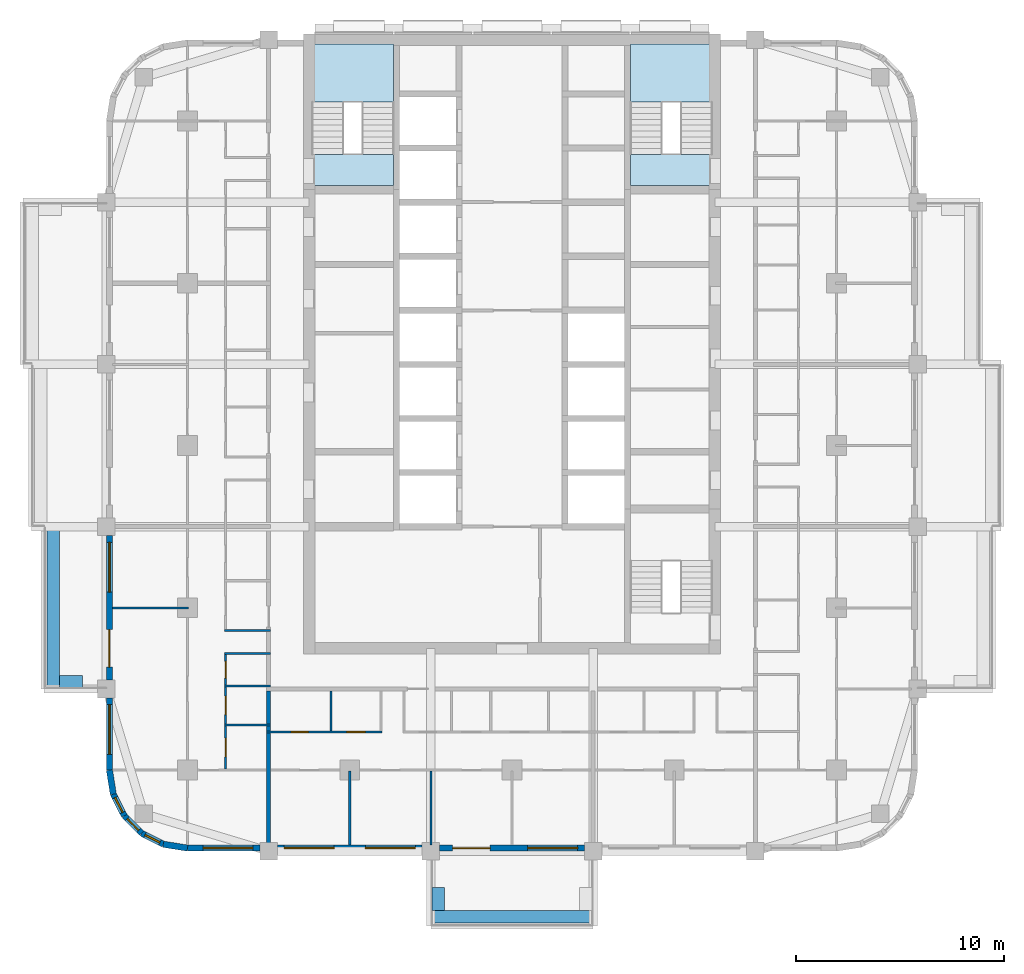
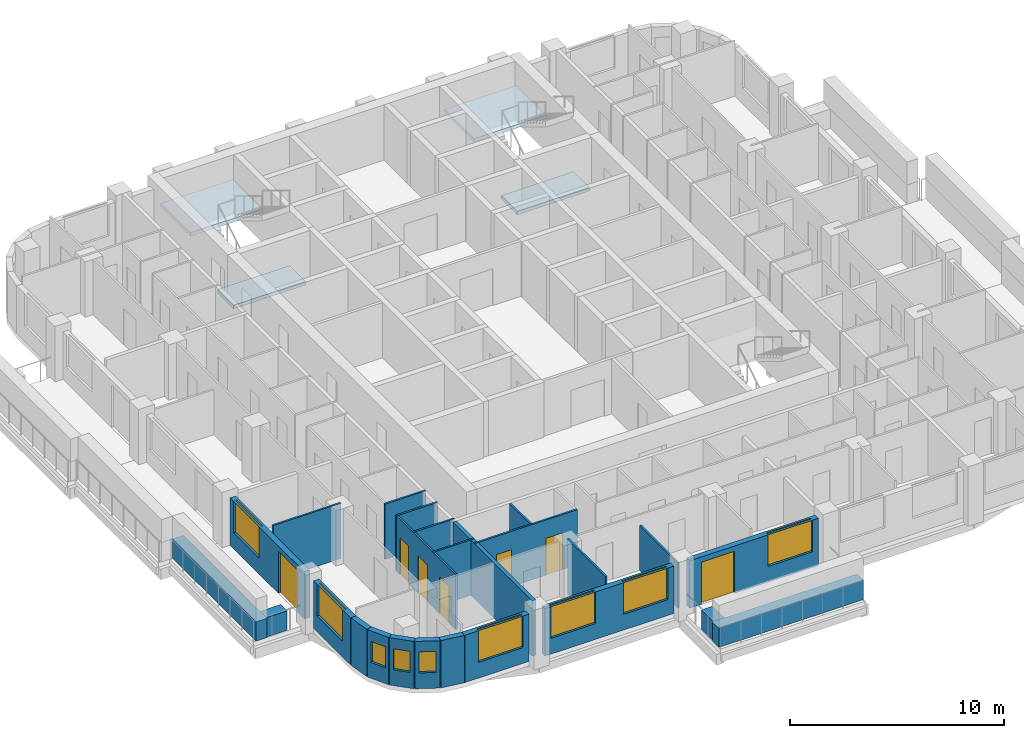
# One storey, part 2 of 13: 25 walls, 9 windows, 7 doors, 4 slabs, 16 openings, 2 elements without a shape of their own.
"""IFC4 building model written with IfcOpenShell, lengths in metres."""

import ifcopenshell
import ifcopenshell.guid

model = None  # the IFC model being written
_history = None  # IfcOwnerHistory: only IFC2X3 demands one
_inside = {}  # id of a spatial element -> (the spatial element, [elements in it])
_under = {}  # id of a project, library or spatial element -> (it, [spatial elements below it])
_declared = {}  # id of a project -> (the project, [libraries it declares])
_typed = {}  # id of a type object -> (the type object, [elements of that type])
_made_of = {}  # id of a material, layer set ... -> (it, [elements and type objects made of it])


def new_model(schema):
    """Start an empty IFC model of exactly this schema.

    Asked for "IFC4X3", IfcOpenShell would pick the latest addendum, in which some entities
    have other attributes; the version numbers below select the first issue.
    IFC2X3 requires an IfcOwnerHistory on every rooted entity: one is made here for all.
    """
    global model, _history
    if schema == "IFC4X3":
        model = ifcopenshell.file(schema_version=(4, 3, 0, 0))
    else:
        model = ifcopenshell.file(schema=schema)
    _inside.clear()
    _under.clear()
    _declared.clear()
    _typed.clear()
    _made_of.clear()
    _history = None
    if model.schema == "IFC2X3":
        org = make("IfcOrganization", Name="unknown")
        user = make(
            "IfcPersonAndOrganization",
            ThePerson=make("IfcPerson", FamilyName="unknown"),
            TheOrganization=org,
        )
        app = make(
            "IfcApplication",
            ApplicationDeveloper=org,
            Version="unknown",
            ApplicationFullName="unknown",
            ApplicationIdentifier="unknown",
        )
        _history = make(
            "IfcOwnerHistory",
            OwningUser=user,
            OwningApplication=app,
            ChangeAction="ADDED",
            CreationDate=0,
        )
    return model


def make(cls, **values):
    """One entity of the class cls with the attributes given. An attribute that is None is left unset."""
    return model.create_entity(
        cls, **{name: value for name, value in values.items() if value is not None}
    )


def rooted(cls, **values):
    """An entity with a GlobalId (a new one), such as an element, a storey or a relation."""
    return make(cls, GlobalId=ifcopenshell.guid.new(), OwnerHistory=_history, **values)


def si_unit(unit_type, name, prefix=None):
    """IfcSIUnit, for example si_unit("LENGTHUNIT", "METRE", prefix="MILLI")."""
    return make("IfcSIUnit", UnitType=unit_type, Prefix=prefix, Name=name)


def assignment(units):
    """IfcUnitAssignment: the units of a project."""
    return None if units is None else make("IfcUnitAssignment", Units=units)


def point(xyz):
    """IfcCartesianPoint."""
    return None if xyz is None else make("IfcCartesianPoint", Coordinates=xyz)


def direction(xyz):
    """IfcDirection."""
    return None if xyz is None else make("IfcDirection", DirectionRatios=xyz)


def frame(location, z_axis=None, x_axis=None):
    """IfcAxis2Placement3D, a coordinate frame: its origin and axes. An axis left out is left unset."""
    return make(
        "IfcAxis2Placement3D",
        Location=point(location),
        Axis=direction(z_axis),
        RefDirection=direction(x_axis),
    )


def frame_2d(location, x_axis=None):
    """IfcAxis2Placement2D, a coordinate frame in the plane: its origin and x axis."""
    return make(
        "IfcAxis2Placement2D", Location=point(location), RefDirection=direction(x_axis)
    )


def origin():
    """The frame at (0, 0, 0) with its axes left unset."""
    return frame((0.0, 0.0, 0.0))


def place(relative_to, where):
    """IfcLocalPlacement: puts the frame where relative to a parent placement (None: the world)."""
    return make(
        "IfcLocalPlacement", PlacementRelTo=relative_to, RelativePlacement=where
    )


def context(
    kind, dimensions, precision=None, world=None, true_north=None, identifier=None
):
    """IfcGeometricRepresentationContext, for example the 3D "Model" context."""
    return make(
        "IfcGeometricRepresentationContext",
        ContextIdentifier=identifier,
        ContextType=kind,
        CoordinateSpaceDimension=dimensions,
        Precision=precision,
        WorldCoordinateSystem=world,
        TrueNorth=true_north,
    )


def subcontext(parent, identifier, kind, view, scale=None):
    """IfcGeometricRepresentationSubContext, for example "Body" below "Model"."""
    return make(
        "IfcGeometricRepresentationSubContext",
        ContextIdentifier=identifier,
        ContextType=kind,
        ParentContext=parent,
        TargetScale=scale,
        TargetView=view,
    )


def project(units=None, contexts=None):
    """IfcProject with its units and contexts."""
    return rooted(
        "IfcProject",
        Name="project",
        RepresentationContexts=contexts,
        UnitsInContext=assignment(units),
    )


def spatial(cls, under=None, at=None, **own):
    """A site, building, storey or space (cls), placed at a placement, below another one or the project."""
    s = rooted(cls, ObjectPlacement=at, **own)
    if under is not None:
        _under.setdefault(under.id(), (under, []))[1].append(s)
    return s


def polyline(points):
    """IfcPolyline through the points."""
    return make("IfcPolyline", Points=[point(p) for p in points])


def profile(cls, at=None, kind="AREA", **sizes):
    """A parametric profile (cls). Its sizes go by their IFC names, for example OverallWidth=200.0."""
    return make(cls, ProfileType=kind, Position=at, **sizes)


def rectangle(**sizes):
    """IfcRectangleProfileDef."""
    return profile("IfcRectangleProfileDef", **sizes)


def outline(outer, holes=None, kind="AREA"):
    """IfcArbitraryClosedProfileDef: a profile drawn as a closed curve; with holes, ...WithVoids."""
    if holes is None:
        return make("IfcArbitraryClosedProfileDef", ProfileType=kind, OuterCurve=outer)
    return make(
        "IfcArbitraryProfileDefWithVoids",
        ProfileType=kind,
        OuterCurve=outer,
        InnerCurves=holes,
    )


def extrude(swept, where, along, depth):
    """IfcExtrudedAreaSolid: the profile swept, set in the frame where, extruded along a direction by depth."""
    return make(
        "IfcExtrudedAreaSolid",
        SweptArea=swept,
        Position=where,
        ExtrudedDirection=direction(along),
        Depth=depth,
    )


def shape(context_of_items, identifier, shape_type, items):
    """IfcShapeRepresentation: the items that make up one representation, for example the "Body"."""
    return make(
        "IfcShapeRepresentation",
        ContextOfItems=context_of_items,
        RepresentationIdentifier=identifier,
        RepresentationType=shape_type,
        Items=items,
    )


def material(Name=None, Category=None):
    """IfcMaterial."""
    return make("IfcMaterial", Name=Name, Category=Category)


def layer(
    of_material, thickness, ventilated=None, Name=None, Category=None, Priority=None
):
    """IfcMaterialLayer: one layer of a wall or slab, of a material (None: an air gap)."""
    return make(
        "IfcMaterialLayer",
        Material=of_material,
        LayerThickness=thickness,
        IsVentilated=ventilated,
        Name=Name,
        Category=Category,
        Priority=Priority,
    )


def layer_set(layers, Name=None):
    """IfcMaterialLayerSet."""
    return make("IfcMaterialLayerSet", MaterialLayers=layers, LayerSetName=Name)


def made_of(thing, what):
    """Note that an element or type object is made of a material, layer set ...; save() writes the relation."""
    if what is not None:
        _made_of.setdefault(what.id(), (what, []))[1].append(thing)
    return thing


def type_object(cls, material=None, **own):
    """A type object (cls), such as IfcWallType, which elements share."""
    return made_of(rooted(cls, **own), material)


def element(
    cls,
    number,
    at=None,
    inside=None,
    cuts=None,
    type_object=None,
    material=None,
    context=None,
    identifier="Body",
    shape_type=None,
    held_by="IfcProductDefinitionShape",
    body=None,
    shapes=None,
    **own,
):
    """One element of the class cls, such as IfcWall. Its Tag is "e" and its number.

    at: its placement. inside: the storey or other place that contains it. cuts: it is an
    opening in that element (IfcRelVoidsElement). A single representation is given by context,
    identifier, shape_type and body (its items); several are given by shapes. held_by: the class
    of the entity that holds the representations. save() writes the other relations.
    """
    e = rooted(cls, Tag="e%d" % number, ObjectPlacement=at, **own)
    if body is not None:
        shapes = [shape(context, identifier, shape_type, body)]
    if shapes is not None:
        e.Representation = make(held_by, Representations=shapes)
    if inside is not None:
        _inside.setdefault(inside.id(), (inside, []))[1].append(e)
    if cuts is not None:
        rooted(
            "IfcRelVoidsElement", RelatingBuildingElement=cuts, RelatedOpeningElement=e
        )
    if type_object is not None:
        _typed.setdefault(type_object.id(), (type_object, []))[1].append(e)
    return made_of(e, material)


def fill(opening, filler):
    """IfcRelFillsElement: the door or window that sits in an opening."""
    return rooted(
        "IfcRelFillsElement",
        RelatingOpeningElement=opening,
        RelatedBuildingElement=filler,
    )


def aggregate(whole, parts):
    """IfcRelAggregates: a whole, such as a stair, and the parts it consists of."""
    return rooted("IfcRelAggregates", RelatingObject=whole, RelatedObjects=parts)


def save(model, path):
    """Write the relations noted so far, then the file.

    IfcRelAggregates (storeys below a building ...), IfcRelContainedInSpatialStructure (elements
    in a storey), IfcRelDefinesByType, IfcRelAssociatesMaterial and IfcRelDeclares: one each for
    every whole, place, type object, material and project.
    """
    for whole, parts in _under.values():
        aggregate(whole, parts)
    for where, things in _inside.values():
        rooted(
            "IfcRelContainedInSpatialStructure",
            RelatedElements=things,
            RelatingStructure=where,
        )
    for kind, things in _typed.values():
        rooted("IfcRelDefinesByType", RelatedObjects=things, RelatingType=kind)
    for what, things in _made_of.values():
        rooted("IfcRelAssociatesMaterial", RelatedObjects=things, RelatingMaterial=what)
    for by, libraries in _declared.values():
        rooted("IfcRelDeclares", RelatingContext=by, RelatedDefinitions=libraries)
    model.write(path)


model = new_model("IFC4")

# Units and contexts
model_context = context("Model", 3, precision=1e-05, world=origin(), true_north=direction((0.0, 1.0)))
body_context = subcontext(model_context, "Body", "Model", "MODEL_VIEW")
ifc_project = project(units=[si_unit("LENGTHUNIT", "METRE"), si_unit("AREAUNIT", "SQUARE_METRE"), si_unit("VOLUMEUNIT", "CUBIC_METRE"), si_unit("PLANEANGLEUNIT", "RADIAN"), si_unit("MASSUNIT", "GRAM", prefix="KILO")], contexts=[model_context])

# Site, building, storey
site_placement = place(None, origin())
site = spatial("IfcSite", under=ifc_project, at=site_placement, CompositionType="ELEMENT")
building_placement = place(site_placement, origin())
building = spatial("IfcBuilding", under=site, at=building_placement, Name="Ludao Terraces", CompositionType="ELEMENT")
storey_placement = place(building_placement, frame((0.0, 0.0, 130.5)))
storey = spatial("IfcBuildingStorey", under=building, at=storey_placement, Name="L35", CompositionType="ELEMENT", Elevation=130.5)

# Stair, slabs
ifc_material_1 = material(Name="Concrete C40", Category="concrete")
stair_type = type_object("IfcStairType", Name="INT Stair", PredefinedType="HALF_TURN_STAIR", material=ifc_material_1)
stair_1_placement = place(storey_placement, origin())
stair_1 = element("IfcStair", 1, at=stair_1_placement, inside=storey, type_object=stair_type, Name="EXIT STAIR 1", PredefinedType="HALF_TURN_STAIR")
ifc_layer_1 = layer(ifc_material_1, 0.199951171875)
ifc_layer_set_1 = layer_set([ifc_layer_1], Name="INT Stair landing 200")
slab_type = type_object("IfcSlabType", Name="INT Stair landing 200", PredefinedType="LANDING", material=ifc_layer_set_1)
slab_1_placement = place(storey_placement, frame((0.0, 0.0, 1.5)))
slab_1 = element("IfcSlab", 2, at=slab_1_placement, type_object=slab_type, Name="ST1 landing 1", PredefinedType="LANDING", context=body_context, shape_type="SweptSolid", body=[
    extrude(outline(polyline([(75.39990234375, 81.52001953125), (79.300048828125, 81.52001953125), (79.300048828125, 84.300048828125), (75.39990234375, 84.300048828125), (75.39990234375, 81.52001953125)])), origin(), (0.0, 0.0, 1.0), 0.199951171875),
])
slab_2_placement = place(storey_placement, frame((0.0, 0.0, -0.199951171875)))
slab_2 = element("IfcSlab", 3, at=slab_2_placement, type_object=slab_type, Name="ST1 landing 2", PredefinedType="LANDING", context=body_context, shape_type="SweptSolid", body=[
    extrude(outline(polyline([(75.39990234375, 77.5), (79.300048828125, 77.5), (79.300048828125, 79.0), (75.39990234375, 79.0), (75.39990234375, 77.5)])), origin(), (0.0, 0.0, 1.0), 0.199951171875),
])
aggregate(stair_1, [slab_1, slab_2])

stair_2_placement = place(storey_placement, origin())
stair_2 = element("IfcStair", 4, at=stair_2_placement, inside=storey, type_object=stair_type, Name="EXIT STAIR 2", PredefinedType="HALF_TURN_STAIR")
slab_3_placement = place(storey_placement, frame((0.0, 0.0, 1.5)))
slab_3 = element("IfcSlab", 5, at=slab_3_placement, type_object=slab_type, Name="ST2 landing 1", PredefinedType="LANDING", context=body_context, shape_type="SweptSolid", body=[
    extrude(outline(polyline([(90.699951171875, 81.52001953125), (94.60009765625, 81.52001953125), (94.60009765625, 84.300048828125), (90.699951171875, 84.300048828125), (90.699951171875, 81.52001953125)])), origin(), (0.0, 0.0, 1.0), 0.199951171875),
])
slab_4_placement = place(storey_placement, frame((0.0, 0.0, -0.199951171875)))
slab_4 = element("IfcSlab", 6, at=slab_4_placement, type_object=slab_type, Name="ST2 landing 2", PredefinedType="LANDING", context=body_context, shape_type="SweptSolid", body=[
    extrude(outline(polyline([(90.699951171875, 77.5), (94.60009765625, 77.5), (94.60009765625, 79.0), (90.699951171875, 79.0), (90.699951171875, 77.5)])), origin(), (0.0, 0.0, 1.0), 0.199951171875),
])
aggregate(stair_2, [slab_3, slab_4])

# Walls
ifc_layer_2 = layer(ifc_material_1, 0.60009765625)
ifc_layer_set_2 = layer_set([ifc_layer_2], Name="ENV Planter trough 600")
wall_type_1 = type_object("IfcWallType", Name="ENV Planter trough 600", PredefinedType="USERDEFINED", material=ifc_layer_set_2)
wall_1_placement = place(storey_placement, frame((81.10009765625, 42.35009765625, 0.0), z_axis=(0.0, 0.0, 1.0), x_axis=(1.0, 0.0, 0.0)))
element("IfcWall", 7, at=wall_1_placement, inside=storey, type_object=wall_type_1, Name="PL-L35-S1", ObjectType="PLANTER", PredefinedType="USERDEFINED", context=body_context, shape_type="SweptSolid", body=[
    extrude(rectangle(XDim=7.7998046875, YDim=0.60009765625, at=frame_2d((3.89990234375, 0.0))), origin(), (0.0, 0.0, 1.0), 1.10009765625),
])
wall_2_placement = place(storey_placement, frame((81.449951171875, 42.64990234375, 0.0), z_axis=(0.0, 0.0, 1.0), x_axis=(0.0, 1.0, 0.0)))
element("IfcWall", 8, at=wall_2_placement, inside=storey, type_object=wall_type_1, Name="PL-L35-S1-SA", ObjectType="PLANTER", PredefinedType="USERDEFINED", context=body_context, shape_type="SweptSolid", body=[
    extrude(rectangle(XDim=1.10009765625, YDim=0.60009765625, at=frame_2d((0.550048828125, 0.0))), origin(), (0.0, 0.0, 1.0), 1.10009765625),
])
wall_3_placement = place(storey_placement, frame((62.949951171875, 53.300048828125, 0.0), z_axis=(0.0, 0.0, 1.0), x_axis=(0.0, 1.0, 0.0)))
element("IfcWall", 9, at=wall_3_placement, inside=storey, type_object=wall_type_1, Name="PL-L35-W1", ObjectType="PLANTER", PredefinedType="USERDEFINED", context=body_context, shape_type="SweptSolid", body=[
    extrude(rectangle(XDim=7.800048828125, YDim=0.60009765625, at=frame_2d((3.89990234375, 0.0))), origin(), (0.0, 0.0, 1.0), 1.10009765625),
])
wall_4_placement = place(storey_placement, frame((63.25, 53.64990234375, 0.0), z_axis=(0.0, 0.0, 1.0), x_axis=(1.0, 0.0, 0.0)))
element("IfcWall", 10, at=wall_4_placement, inside=storey, type_object=wall_type_1, Name="PL-L35-W1-SA", ObjectType="PLANTER", PredefinedType="USERDEFINED", context=body_context, shape_type="SweptSolid", body=[
    extrude(rectangle(XDim=1.10009765625, YDim=0.60009765625, at=frame_2d((0.550048828125, 0.0))), origin(), (0.0, 0.0, 1.0), 1.10009765625),
])

# Wall, opening, window
ifc_material_2 = material(Name="Granite cladding", Category="masonry")
ifc_layer_3 = layer(ifc_material_2, 0.0400390625, Category="stone")
ifc_material_3 = material(Name="Mineral wool")
ifc_layer_4 = layer(ifc_material_3, 0.06005859375)
ifc_layer_5 = layer(ifc_material_1, 0.199951171875, Category="concrete")
ifc_layer_set_3 = layer_set([ifc_layer_3, ifc_layer_4, ifc_layer_5], Name="ENV Stone-clad wall 300")
wall_type_2 = type_object("IfcWallType", Name="ENV Stone-clad wall 300", PredefinedType="SOLIDWALL", material=ifc_layer_set_3)
wall_5_placement = place(storey_placement, frame((69.39990234375, 45.64990234375, 0.0), z_axis=(0.0, 0.0, 1.0), x_axis=(1.0, 0.0, 0.0)))
wall_5 = element("IfcWall", 11, at=wall_5_placement, inside=storey, type_object=wall_type_2, Name="EW-L35-S1", PredefinedType="SOLIDWALL", context=body_context, shape_type="SweptSolid", body=[
    extrude(rectangle(XDim=3.47509765625, YDim=0.300048828125, at=frame_2d((1.737548828125, 0.0))), origin(), (0.0, 0.0, 1.0), 2.699951171875),
])
opening_1_placement = place(wall_5_placement, frame((0.75, 0.0, 0.89990234375)))
opening_1 = element("IfcOpeningElement", 12, at=opening_1_placement, cuts=wall_5, Name="Opening W1", PredefinedType="OPENING", context=body_context, shape_type="SweptSolid", body=[
    extrude(rectangle(XDim=2.39990234375, YDim=1.800048828125, at=frame_2d((1.199951171875, 0.89990234375))), frame((0.0, 0.16015625, 0.0), z_axis=(0.0, -1.0, 0.0), x_axis=(1.0, 0.0, 0.0)), (0.0, 0.0, 1.0), 0.320068359375),
])
ifc_material_4 = material(Name="Clear glass in aluminium frame", Category="aluminium")
ifc_layer_6 = layer(ifc_material_4, 0.06005859375)
ifc_layer_set_4 = layer_set([ifc_layer_6], Name="ENV Window W1 2400x1800")
window_type_1 = type_object("IfcWindowType", Name="ENV Window W1 2400x1800", PartitioningType="DOUBLE_PANEL_VERTICAL", PredefinedType="WINDOW", material=ifc_layer_set_4)
window_1_placement = place(opening_1_placement, origin())
window_1 = element("IfcWindow", 13, at=window_1_placement, inside=storey, type_object=window_type_1, Name="W-L35-S1-1", OverallHeight=1.800048828125, OverallWidth=2.39990234375, PartitioningType="DOUBLE_PANEL_VERTICAL", PredefinedType="WINDOW", context=body_context, shape_type="SweptSolid", body=[
    extrude(rectangle(XDim=2.39990234375, YDim=1.800048828125, at=frame_2d((1.199951171875, 0.89990234375))), frame((0.0, 0.030029296875, 0.0), z_axis=(0.0, -1.0, 0.0), x_axis=(1.0, 0.0, 0.0)), (0.0, 0.0, 1.0), 0.06005859375),
])
fill(opening_1, window_1)

# Wall, openings, windows
wall_6_placement = place(storey_placement, frame((73.72509765625, 45.64990234375, 0.0), z_axis=(0.0, 0.0, 1.0), x_axis=(1.0, 0.0, 0.0)))
wall_6 = element("IfcWall", 14, at=wall_6_placement, inside=storey, type_object=wall_type_2, Name="EW-L35-S2", PredefinedType="SOLIDWALL", context=body_context, shape_type="SweptSolid", body=[
    extrude(rectangle(XDim=6.949951171875, YDim=0.300048828125, at=frame_2d((3.47509765625, 0.0))), origin(), (0.0, 0.0, 1.0), 2.699951171875),
])
opening_2_placement = place(wall_6_placement, frame((0.324951171875, 0.0, 0.89990234375)))
opening_2 = element("IfcOpeningElement", 15, at=opening_2_placement, cuts=wall_6, Name="Opening W1", PredefinedType="OPENING", context=body_context, shape_type="SweptSolid", body=[
    extrude(rectangle(XDim=2.39990234375, YDim=1.800048828125, at=frame_2d((1.199951171875, 0.89990234375))), frame((0.0, 0.16015625, 0.0), z_axis=(0.0, -1.0, 0.0), x_axis=(1.0, 0.0, 0.0)), (0.0, 0.0, 1.0), 0.320068359375),
])
opening_3_placement = place(wall_6_placement, frame((4.22509765625, 0.0, 0.89990234375)))
opening_3 = element("IfcOpeningElement", 16, at=opening_3_placement, cuts=wall_6, Name="Opening W1", PredefinedType="OPENING", context=body_context, shape_type="SweptSolid", body=[
    extrude(rectangle(XDim=2.39990234375, YDim=1.800048828125, at=frame_2d((1.199951171875, 0.89990234375))), frame((0.0, 0.16015625, 0.0), z_axis=(0.0, -1.0, 0.0), x_axis=(1.0, 0.0, 0.0)), (0.0, 0.0, 1.0), 0.320068359375),
])
window_2_placement = place(opening_2_placement, origin())
window_2 = element("IfcWindow", 17, at=window_2_placement, inside=storey, type_object=window_type_1, Name="W-L35-S2-1", OverallHeight=1.800048828125, OverallWidth=2.39990234375, PartitioningType="DOUBLE_PANEL_VERTICAL", PredefinedType="WINDOW", context=body_context, shape_type="SweptSolid", body=[
    extrude(rectangle(XDim=2.39990234375, YDim=1.800048828125, at=frame_2d((1.199951171875, 0.89990234375))), frame((0.0, 0.030029296875, 0.0), z_axis=(0.0, -1.0, 0.0), x_axis=(1.0, 0.0, 0.0)), (0.0, 0.0, 1.0), 0.06005859375),
])
fill(opening_2, window_2)
window_3_placement = place(opening_3_placement, origin())
window_3 = element("IfcWindow", 18, at=window_3_placement, inside=storey, type_object=window_type_1, Name="W-L35-S2-2", OverallHeight=1.800048828125, OverallWidth=2.39990234375, PartitioningType="DOUBLE_PANEL_VERTICAL", PredefinedType="WINDOW", context=body_context, shape_type="SweptSolid", body=[
    extrude(rectangle(XDim=2.39990234375, YDim=1.800048828125, at=frame_2d((1.199951171875, 0.89990234375))), frame((0.0, 0.030029296875, 0.0), z_axis=(0.0, -1.0, 0.0), x_axis=(1.0, 0.0, 0.0)), (0.0, 0.0, 1.0), 0.06005859375),
])
fill(opening_3, window_3)

# Wall, openings, door, window
wall_7_placement = place(storey_placement, frame((81.52490234375, 45.64990234375, 0.0), z_axis=(0.0, 0.0, 1.0), x_axis=(1.0, 0.0, 0.0)))
wall_7 = element("IfcWall", 19, at=wall_7_placement, inside=storey, type_object=wall_type_2, Name="EW-L35-S3", PredefinedType="SOLIDWALL", context=body_context, shape_type="SweptSolid", body=[
    extrude(rectangle(XDim=6.9501953125, YDim=0.300048828125, at=frame_2d((3.47509765625, 0.0))), origin(), (0.0, 0.0, 1.0), 2.699951171875),
])
opening_4_placement = place(wall_7_placement, frame((0.625, 0.0, 0.0)))
opening_4 = element("IfcOpeningElement", 20, at=opening_4_placement, cuts=wall_7, Name="Opening BD", PredefinedType="OPENING", context=body_context, shape_type="SweptSolid", body=[
    extrude(rectangle(XDim=1.800048828125, YDim=2.39990234375, at=frame_2d((0.89990234375, 1.199951171875))), frame((0.0, 0.16015625, 0.0), z_axis=(0.0, -1.0, 0.0), x_axis=(1.0, 0.0, 0.0)), (0.0, 0.0, 1.0), 0.320068359375),
])
opening_5_placement = place(wall_7_placement, frame((4.22509765625, 0.0, 0.89990234375)))
opening_5 = element("IfcOpeningElement", 21, at=opening_5_placement, cuts=wall_7, Name="Opening W1", PredefinedType="OPENING", context=body_context, shape_type="SweptSolid", body=[
    extrude(rectangle(XDim=2.39990234375, YDim=1.800048828125, at=frame_2d((1.199951171875, 0.89990234375))), frame((0.0, 0.16015625, 0.0), z_axis=(0.0, -1.0, 0.0), x_axis=(1.0, 0.0, 0.0)), (0.0, 0.0, 1.0), 0.320068359375),
])
ifc_material_5 = material(Name="Aluminium glazed door", Category="aluminium")
ifc_layer_7 = layer(ifc_material_5, 0.06005859375)
ifc_layer_set_5 = layer_set([ifc_layer_7], Name="ENV Balcony door BD 1800x2400")
door_type_1 = type_object("IfcDoorType", Name="ENV Balcony door BD 1800x2400", OperationType="DOUBLE_DOOR_SINGLE_SWING", PredefinedType="DOOR", material=ifc_layer_set_5)
door_1_placement = place(opening_4_placement, origin())
door_1 = element("IfcDoor", 22, at=door_1_placement, inside=storey, type_object=door_type_1, Name="BD-L35-S3-1", OperationType="DOUBLE_DOOR_SINGLE_SWING", OverallHeight=2.39990234375, OverallWidth=1.800048828125, PredefinedType="DOOR", context=body_context, shape_type="SweptSolid", body=[
    extrude(rectangle(XDim=1.800048828125, YDim=2.39990234375, at=frame_2d((0.89990234375, 1.199951171875))), frame((0.0, 0.02490234375, 0.0), z_axis=(0.0, -1.0, 0.0), x_axis=(1.0, 0.0, 0.0)), (0.0, 0.0, 1.0), 0.050048828125),
])
fill(opening_4, door_1)
window_4_placement = place(opening_5_placement, origin())
window_4 = element("IfcWindow", 23, at=window_4_placement, inside=storey, type_object=window_type_1, Name="W-L35-S3-2", OverallHeight=1.800048828125, OverallWidth=2.39990234375, PartitioningType="DOUBLE_PANEL_VERTICAL", PredefinedType="WINDOW", context=body_context, shape_type="SweptSolid", body=[
    extrude(rectangle(XDim=2.39990234375, YDim=1.800048828125, at=frame_2d((1.199951171875, 0.89990234375))), frame((0.0, 0.030029296875, 0.0), z_axis=(0.0, -1.0, 0.0), x_axis=(1.0, 0.0, 0.0)), (0.0, 0.0, 1.0), 0.06005859375),
])
fill(opening_5, window_4)

# Wall, opening, window
wall_8_placement = place(storey_placement, frame((65.64990234375, 49.39990234375, 0.0), z_axis=(0.0, 0.0, 1.0), x_axis=(0.0, 1.0, 0.0)))
wall_8 = element("IfcWall", 24, at=wall_8_placement, inside=storey, type_object=wall_type_2, Name="EW-L35-W1", PredefinedType="SOLIDWALL", context=body_context, shape_type="SweptSolid", body=[
    extrude(rectangle(XDim=3.47509765625, YDim=0.300048828125, at=frame_2d((1.737548828125, 0.0))), origin(), (0.0, 0.0, 1.0), 2.699951171875),
])
opening_6_placement = place(wall_8_placement, frame((0.75, 0.0, 0.89990234375)))
opening_6 = element("IfcOpeningElement", 25, at=opening_6_placement, cuts=wall_8, Name="Opening W1", PredefinedType="OPENING", context=body_context, shape_type="SweptSolid", body=[
    extrude(rectangle(XDim=2.39990234375, YDim=1.800048828125, at=frame_2d((1.199951171875, 0.89990234375))), frame((0.0, 0.16015625, 0.0), z_axis=(0.0, -1.0, 0.0), x_axis=(1.0, 0.0, 0.0)), (0.0, 0.0, 1.0), 0.320068359375),
])
window_5_placement = place(opening_6_placement, origin())
window_5 = element("IfcWindow", 26, at=window_5_placement, inside=storey, type_object=window_type_1, Name="W-L35-W1-1", OverallHeight=1.800048828125, OverallWidth=2.39990234375, PartitioningType="DOUBLE_PANEL_VERTICAL", PredefinedType="WINDOW", context=body_context, shape_type="SweptSolid", body=[
    extrude(rectangle(XDim=2.39990234375, YDim=1.800048828125, at=frame_2d((1.199951171875, 0.89990234375))), frame((0.0, 0.030029296875, 0.0), z_axis=(0.0, -1.0, 0.0), x_axis=(1.0, 0.0, 0.0)), (0.0, 0.0, 1.0), 0.06005859375),
])
fill(opening_6, window_5)

# Wall, openings, door, window
wall_9_placement = place(storey_placement, frame((65.64990234375, 53.72509765625, 0.0), z_axis=(0.0, 0.0, 1.0), x_axis=(0.0, 1.0, 0.0)))
wall_9 = element("IfcWall", 27, at=wall_9_placement, inside=storey, type_object=wall_type_2, Name="EW-L35-W2", PredefinedType="SOLIDWALL", context=body_context, shape_type="SweptSolid", body=[
    extrude(rectangle(XDim=6.949951171875, YDim=0.300048828125, at=frame_2d((3.47509765625, 0.0))), origin(), (0.0, 0.0, 1.0), 2.699951171875),
])
opening_7_placement = place(wall_9_placement, frame((0.625, 0.0, 0.0)))
opening_7 = element("IfcOpeningElement", 28, at=opening_7_placement, cuts=wall_9, Name="Opening BD", PredefinedType="OPENING", context=body_context, shape_type="SweptSolid", body=[
    extrude(rectangle(XDim=1.800048828125, YDim=2.39990234375, at=frame_2d((0.89990234375, 1.199951171875))), frame((0.0, 0.16015625, 0.0), z_axis=(0.0, -1.0, 0.0), x_axis=(1.0, 0.0, 0.0)), (0.0, 0.0, 1.0), 0.320068359375),
])
opening_8_placement = place(wall_9_placement, frame((4.22509765625, 0.0, 0.89990234375)))
opening_8 = element("IfcOpeningElement", 29, at=opening_8_placement, cuts=wall_9, Name="Opening W1", PredefinedType="OPENING", context=body_context, shape_type="SweptSolid", body=[
    extrude(rectangle(XDim=2.39990234375, YDim=1.800048828125, at=frame_2d((1.199951171875, 0.89990234375))), frame((0.0, 0.16015625, 0.0), z_axis=(0.0, -1.0, 0.0), x_axis=(1.0, 0.0, 0.0)), (0.0, 0.0, 1.0), 0.320068359375),
])
door_2_placement = place(opening_7_placement, origin())
door_2 = element("IfcDoor", 30, at=door_2_placement, inside=storey, type_object=door_type_1, Name="BD-L35-W2-1", OperationType="DOUBLE_DOOR_SINGLE_SWING", OverallHeight=2.39990234375, OverallWidth=1.800048828125, PredefinedType="DOOR", context=body_context, shape_type="SweptSolid", body=[
    extrude(rectangle(XDim=1.800048828125, YDim=2.39990234375, at=frame_2d((0.89990234375, 1.199951171875))), frame((0.0, 0.02490234375, 0.0), z_axis=(0.0, -1.0, 0.0), x_axis=(1.0, 0.0, 0.0)), (0.0, 0.0, 1.0), 0.050048828125),
])
fill(opening_7, door_2)
window_6_placement = place(opening_8_placement, origin())
window_6 = element("IfcWindow", 31, at=window_6_placement, inside=storey, type_object=window_type_1, Name="W-L35-W2-2", OverallHeight=1.800048828125, OverallWidth=2.39990234375, PartitioningType="DOUBLE_PANEL_VERTICAL", PredefinedType="WINDOW", context=body_context, shape_type="SweptSolid", body=[
    extrude(rectangle(XDim=2.39990234375, YDim=1.800048828125, at=frame_2d((1.199951171875, 0.89990234375))), frame((0.0, 0.030029296875, 0.0), z_axis=(0.0, -1.0, 0.0), x_axis=(1.0, 0.0, 0.0)), (0.0, 0.0, 1.0), 0.06005859375),
])
fill(opening_8, window_6)

# Wall
wall_10_placement = place(storey_placement, frame((65.64990234375, 49.39990234375, 0.0), z_axis=(0.0, 0.0, 1.0), x_axis=(0.156496880861, -0.987678452879, 0.0)))
element("IfcWall", 32, at=wall_10_placement, inside=storey, type_object=wall_type_2, Name="EW-L35-SW1", PredefinedType="SOLIDWALL", context=body_context, shape_type="SweptSolid", body=[
    extrude(rectangle(XDim=1.173095703125, YDim=0.300048828125, at=frame_2d((0.58642578125, 0.0))), origin(), (0.0, 0.0, 1.0), 2.699951171875),
])

# Wall, opening, window
wall_11_placement = place(storey_placement, frame((65.83349609375, 48.2412109375, 0.0), z_axis=(0.0, 0.0, 1.0), x_axis=(0.454025524128, -0.890988677504, 0.0)))
wall_11 = element("IfcWall", 33, at=wall_11_placement, inside=storey, type_object=wall_type_2, Name="EW-L35-SW2", PredefinedType="SOLIDWALL", context=body_context, shape_type="SweptSolid", body=[
    extrude(rectangle(XDim=1.17333984375, YDim=0.300048828125, at=frame_2d((0.586669921875, 0.0))), origin(), (0.0, 0.0, 1.0), 2.699951171875),
])
opening_9_placement = place(wall_11_placement, frame((0.1865234375, 0.0, 0.89990234375)))
opening_9 = element("IfcOpeningElement", 34, at=opening_9_placement, cuts=wall_11, Name="Opening W3", PredefinedType="OPENING", context=body_context, shape_type="SweptSolid", body=[
    extrude(rectangle(XDim=0.800048828125, YDim=1.199951171875, at=frame_2d((0.39990234375, 0.60009765625))), frame((0.0, 0.16015625, 0.0), z_axis=(0.0, -1.0, 0.0), x_axis=(1.0, 0.0, 0.0)), (0.0, 0.0, 1.0), 0.320068359375),
])
ifc_layer_8 = layer(ifc_material_4, 0.06005859375)
ifc_layer_set_6 = layer_set([ifc_layer_8], Name="ENV Window W3 800x1200")
window_type_2 = type_object("IfcWindowType", Name="ENV Window W3 800x1200", PartitioningType="SINGLE_PANEL", PredefinedType="WINDOW", material=ifc_layer_set_6)
window_7_placement = place(opening_9_placement, origin())
window_7 = element("IfcWindow", 35, at=window_7_placement, inside=storey, type_object=window_type_2, Name="W-L35-SW2", OverallHeight=1.199951171875, OverallWidth=0.800048828125, PartitioningType="SINGLE_PANEL", PredefinedType="WINDOW", context=body_context, shape_type="SweptSolid", body=[
    extrude(rectangle(XDim=0.800048828125, YDim=1.199951171875, at=frame_2d((0.39990234375, 0.60009765625))), frame((0.0, 0.030029296875, 0.0), z_axis=(0.0, -1.0, 0.0), x_axis=(1.0, 0.0, 0.0)), (0.0, 0.0, 1.0), 0.06005859375),
])
fill(opening_9, window_7)

wall_12_placement = place(storey_placement, frame((66.3662109375, 47.19580078125, 0.0), z_axis=(0.0, 0.0, 1.0), x_axis=(0.707106781187, -0.707106781187, 0.0)))
wall_12 = element("IfcWall", 36, at=wall_12_placement, inside=storey, type_object=wall_type_2, Name="EW-L35-SW3", PredefinedType="SOLIDWALL", context=body_context, shape_type="SweptSolid", body=[
    extrude(rectangle(XDim=1.173095703125, YDim=0.300048828125, at=frame_2d((0.58642578125, 0.0))), origin(), (0.0, 0.0, 1.0), 2.699951171875),
])
opening_10_placement = place(wall_12_placement, frame((0.1865234375, 0.0, 0.89990234375)))
opening_10 = element("IfcOpeningElement", 37, at=opening_10_placement, cuts=wall_12, Name="Opening W3", PredefinedType="OPENING", context=body_context, shape_type="SweptSolid", body=[
    extrude(rectangle(XDim=0.800048828125, YDim=1.199951171875, at=frame_2d((0.39990234375, 0.60009765625))), frame((0.0, 0.16015625, 0.0), z_axis=(0.0, -1.0, 0.0), x_axis=(1.0, 0.0, 0.0)), (0.0, 0.0, 1.0), 0.320068359375),
])
window_8_placement = place(opening_10_placement, origin())
window_8 = element("IfcWindow", 38, at=window_8_placement, inside=storey, type_object=window_type_2, Name="W-L35-SW3", OverallHeight=1.199951171875, OverallWidth=0.800048828125, PartitioningType="SINGLE_PANEL", PredefinedType="WINDOW", context=body_context, shape_type="SweptSolid", body=[
    extrude(rectangle(XDim=0.800048828125, YDim=1.199951171875, at=frame_2d((0.39990234375, 0.60009765625))), frame((0.0, 0.030029296875, 0.0), z_axis=(0.0, -1.0, 0.0), x_axis=(1.0, 0.0, 0.0)), (0.0, 0.0, 1.0), 0.06005859375),
])
fill(opening_10, window_8)

wall_13_placement = place(storey_placement, frame((67.19580078125, 46.3662109375, 0.0), z_axis=(0.0, 0.0, 1.0), x_axis=(0.890988677504, -0.454025524128, 0.0)))
wall_13 = element("IfcWall", 39, at=wall_13_placement, inside=storey, type_object=wall_type_2, Name="EW-L35-SW4", PredefinedType="SOLIDWALL", context=body_context, shape_type="SweptSolid", body=[
    extrude(rectangle(XDim=1.17333984375, YDim=0.300048828125, at=frame_2d((0.586669921875, 0.0))), origin(), (0.0, 0.0, 1.0), 2.699951171875),
])
opening_11_placement = place(wall_13_placement, frame((0.1865234375, 0.0, 0.89990234375)))
opening_11 = element("IfcOpeningElement", 40, at=opening_11_placement, cuts=wall_13, Name="Opening W3", PredefinedType="OPENING", context=body_context, shape_type="SweptSolid", body=[
    extrude(rectangle(XDim=0.800048828125, YDim=1.199951171875, at=frame_2d((0.39990234375, 0.60009765625))), frame((0.0, 0.16015625, 0.0), z_axis=(0.0, -1.0, 0.0), x_axis=(1.0, 0.0, 0.0)), (0.0, 0.0, 1.0), 0.320068359375),
])
window_9_placement = place(opening_11_placement, origin())
window_9 = element("IfcWindow", 41, at=window_9_placement, inside=storey, type_object=window_type_2, Name="W-L35-SW4", OverallHeight=1.199951171875, OverallWidth=0.800048828125, PartitioningType="SINGLE_PANEL", PredefinedType="WINDOW", context=body_context, shape_type="SweptSolid", body=[
    extrude(rectangle(XDim=0.800048828125, YDim=1.199951171875, at=frame_2d((0.39990234375, 0.60009765625))), frame((0.0, 0.030029296875, 0.0), z_axis=(0.0, -1.0, 0.0), x_axis=(1.0, 0.0, 0.0)), (0.0, 0.0, 1.0), 0.06005859375),
])
fill(opening_11, window_9)

# Wall
wall_14_placement = place(storey_placement, frame((68.2412109375, 45.83349609375, 0.0), z_axis=(0.0, 0.0, 1.0), x_axis=(0.987678452879, -0.156496880861, 0.0)))
element("IfcWall", 42, at=wall_14_placement, inside=storey, type_object=wall_type_2, Name="EW-L35-SW5", PredefinedType="SOLIDWALL", context=body_context, shape_type="SweptSolid", body=[
    extrude(rectangle(XDim=1.173095703125, YDim=0.300048828125, at=frame_2d((0.58642578125, 0.0))), origin(), (0.0, 0.0, 1.0), 2.699951171875),
])

# Wall, openings, doors
ifc_material_6 = material(Name="Gypsum plasterboard", Category="gypsum")
ifc_layer_9 = layer(ifc_material_6, 0.012451171875, Category="gypsum")
ifc_layer_10 = layer(ifc_material_3, 0.06005859375, Name="insulation")
ifc_material_7 = material(Name="Steel Q235", Category="steel")
ifc_layer_11 = layer(ifc_material_7, 0.014892578125, Name="stud")
ifc_layer_12 = layer(ifc_material_6, 0.012451171875, Category="gypsum")
ifc_layer_set_7 = layer_set([ifc_layer_9, ifc_layer_10, ifc_layer_11, ifc_layer_12], Name="INT Partition 100")
wall_type_3 = type_object("IfcWallType", Name="INT Partition 100", PredefinedType="PARTITIONING", material=ifc_layer_set_7)
wall_15_placement = place(storey_placement, frame((73.2001953125, 51.22998046875, 0.0), z_axis=(0.0, 0.0, 1.0), x_axis=(1.0, 0.0, 0.0)))
wall_15 = element("IfcWall", 43, at=wall_15_placement, inside=storey, type_object=wall_type_3, Name="PW-L35-PW001", PredefinedType="PARTITIONING", context=body_context, shape_type="SweptSolid", body=[
    extrude(rectangle(XDim=5.5498046875, YDim=0.10009765625, at=frame_2d((2.77490234375, 0.0))), origin(), (0.0, 0.0, 1.0), 3.14990234375),
])
opening_12_placement = place(wall_15_placement, frame((1.199951171875, 0.0, 0.0)))
opening_12 = element("IfcOpeningElement", 44, at=opening_12_placement, cuts=wall_15, Name="Opening R11-013", PredefinedType="OPENING", context=body_context, shape_type="SweptSolid", body=[
    extrude(rectangle(XDim=0.800048828125, YDim=2.10009765625, at=frame_2d((0.39990234375, 1.050048828125))), frame((0.0, 0.06005859375, 0.0), z_axis=(0.0, -1.0, 0.0), x_axis=(1.0, 0.0, 0.0)), (0.0, 0.0, 1.0), 0.1201171875),
])
opening_13_placement = place(wall_15_placement, frame((3.849853515625, 0.0, 0.0)))
opening_13 = element("IfcOpeningElement", 45, at=opening_13_placement, cuts=wall_15, Name="Opening R11-014", PredefinedType="OPENING", context=body_context, shape_type="SweptSolid", body=[
    extrude(rectangle(XDim=0.89990234375, YDim=2.10009765625, at=frame_2d((0.449951171875, 1.050048828125))), frame((0.0, 0.06005859375, 0.0), z_axis=(0.0, -1.0, 0.0), x_axis=(1.0, 0.0, 0.0)), (0.0, 0.0, 1.0), 0.1201171875),
])
ifc_material_8 = material(Name="Timber door leaf", Category="wood")
door_type_2 = type_object("IfcDoorType", Name="INT Bathroom door 900", OperationType="SINGLE_SWING_LEFT", PredefinedType="DOOR", material=ifc_material_8)
door_3_placement = place(opening_13_placement, origin())
door_3 = element("IfcDoor", 46, at=door_3_placement, inside=storey, type_object=door_type_2, Name="DOOR 014", OperationType="SINGLE_SWING_LEFT", OverallHeight=2.10009765625, OverallWidth=0.89990234375, PredefinedType="DOOR", context=body_context, shape_type="SweptSolid", body=[
    extrude(rectangle(XDim=0.89990234375, YDim=2.10009765625, at=frame_2d((0.449951171875, 1.050048828125))), frame((0.0, 0.02490234375, 0.0), z_axis=(0.0, -1.0, 0.0), x_axis=(1.0, 0.0, 0.0)), (0.0, 0.0, 1.0), 0.050048828125),
])
fill(opening_13, door_3)
door_type_3 = type_object("IfcDoorType", Name="INT Store door 800", OperationType="SINGLE_SWING_LEFT", PredefinedType="DOOR", material=ifc_material_8)
door_4_placement = place(opening_12_placement, origin())
door_4 = element("IfcDoor", 47, at=door_4_placement, inside=storey, type_object=door_type_3, Name="DOOR 013", OperationType="SINGLE_SWING_LEFT", OverallHeight=2.10009765625, OverallWidth=0.800048828125, PredefinedType="DOOR", context=body_context, shape_type="SweptSolid", body=[
    extrude(rectangle(XDim=0.800048828125, YDim=2.10009765625, at=frame_2d((0.39990234375, 1.050048828125))), frame((0.0, 0.02490234375, 0.0), z_axis=(0.0, -1.0, 0.0), x_axis=(1.0, 0.0, 0.0)), (0.0, 0.0, 1.0), 0.050048828125),
])
fill(opening_12, door_4)

# Walls
for number, where, z_axis, x_axis, name in (
    (48, (71.18017578125, 51.570068359375, 0.0), (0.0, 0.0, 1.0), (1.0, 0.0, 0.0), "PW-L35-PW005"),
    (49, (71.18017578125, 53.449951171875, 0.0), (0.0, 0.0, 1.0), (1.0, 0.0, 0.0), "PW-L35-PW008"),
    (50, (71.18017578125, 55.0, 0.0), (0.0, 0.0, 1.0), (1.0, 0.0, 0.0), "PW-L35-PW010"),
    (51, (71.18017578125, 56.10009765625, 0.0), (0.0, 0.0, 1.0), (1.0, 0.0, 0.0), "PW-L35-PW012"),
):
    element("IfcWall", number, at=place(storey_placement, frame(where, z_axis=z_axis, x_axis=x_axis)), inside=storey, type_object=wall_type_3, Name=name, PredefinedType="PARTITIONING", context=body_context, shape_type="SweptSolid", body=[
        extrude(rectangle(XDim=2.219970703125, YDim=0.10009765625, at=frame_2d((1.10986328125, 0.0))), origin(), (0.0, 0.0, 1.0), 3.14990234375),
    ])
wall_16_placement = place(storey_placement, frame((65.800048828125, 57.199951171875, 0.0), z_axis=(0.0, 0.0, 1.0), x_axis=(1.0, 0.0, 0.0)))
element("IfcWall", 52, at=wall_16_placement, inside=storey, type_object=wall_type_3, Name="PW-L35-PW013", PredefinedType="PARTITIONING", context=body_context, shape_type="SweptSolid", body=[
    extrude(rectangle(XDim=3.650146484375, YDim=0.10009765625, at=frame_2d((1.8251953125, 0.0))), origin(), (0.0, 0.0, 1.0), 3.14990234375),
])

# Wall, openings, doors
wall_17_placement = place(storey_placement, frame((71.22998046875, 49.4501953125, 0.0), z_axis=(0.0, 0.0, 1.0), x_axis=(0.0, 1.0, 0.0)))
wall_17 = element("IfcWall", 53, at=wall_17_placement, inside=storey, type_object=wall_type_3, Name="PW-L35-PW048", PredefinedType="PARTITIONING", context=body_context, shape_type="SweptSolid", body=[
    extrude(rectangle(XDim=5.5, YDim=0.10009765625, at=frame_2d((2.75, 0.0))), origin(), (0.0, 0.0, 1.0), 3.14990234375),
])
opening_14_placement = place(wall_17_placement, frame((0.5849609375, 0.0, 0.0)))
opening_14 = element("IfcOpeningElement", 54, at=opening_14_placement, cuts=wall_17, Name="Opening R11-012", PredefinedType="OPENING", context=body_context, shape_type="SweptSolid", body=[
    extrude(rectangle(XDim=0.89990234375, YDim=2.10009765625, at=frame_2d((0.449951171875, 1.050048828125))), frame((0.0, 0.06005859375, 0.0), z_axis=(0.0, -1.0, 0.0), x_axis=(1.0, 0.0, 0.0)), (0.0, 0.0, 1.0), 0.1201171875),
])
opening_15_placement = place(wall_17_placement, frame((2.60986328125, 0.0, 0.0)))
opening_15 = element("IfcOpeningElement", 55, at=opening_15_placement, cuts=wall_17, Name="Opening R11-023", PredefinedType="OPENING", context=body_context, shape_type="SweptSolid", body=[
    extrude(rectangle(XDim=0.89990234375, YDim=2.10009765625, at=frame_2d((0.449951171875, 1.050048828125))), frame((0.0, 0.06005859375, 0.0), z_axis=(0.0, -1.0, 0.0), x_axis=(1.0, 0.0, 0.0)), (0.0, 0.0, 1.0), 0.1201171875),
])
opening_16_placement = place(wall_17_placement, frame((4.375, 0.0, 0.0)))
opening_16 = element("IfcOpeningElement", 56, at=opening_16_placement, cuts=wall_17, Name="Opening R11-028", PredefinedType="OPENING", context=body_context, shape_type="SweptSolid", body=[
    extrude(rectangle(XDim=0.800048828125, YDim=2.10009765625, at=frame_2d((0.39990234375, 1.050048828125))), frame((0.0, 0.06005859375, 0.0), z_axis=(0.0, -1.0, 0.0), x_axis=(1.0, 0.0, 0.0)), (0.0, 0.0, 1.0), 0.1201171875),
])
door_5_placement = place(opening_15_placement, origin())
door_5 = element("IfcDoor", 57, at=door_5_placement, inside=storey, type_object=door_type_2, Name="DOOR 023", OperationType="SINGLE_SWING_RIGHT", OverallHeight=2.10009765625, OverallWidth=0.89990234375, PredefinedType="DOOR", context=body_context, shape_type="SweptSolid", body=[
    extrude(rectangle(XDim=0.89990234375, YDim=2.10009765625, at=frame_2d((0.449951171875, 1.050048828125))), frame((0.0, 0.02490234375, 0.0), z_axis=(0.0, -1.0, 0.0), x_axis=(1.0, 0.0, 0.0)), (0.0, 0.0, 1.0), 0.050048828125),
])
fill(opening_15, door_5)
door_type_4 = type_object("IfcDoorType", Name="INT Room door 900", OperationType="SINGLE_SWING_LEFT", PredefinedType="DOOR", material=ifc_material_8)
door_6_placement = place(opening_14_placement, origin())
door_6 = element("IfcDoor", 58, at=door_6_placement, inside=storey, type_object=door_type_4, Name="DOOR 012", OperationType="SINGLE_SWING_RIGHT", OverallHeight=2.10009765625, OverallWidth=0.89990234375, PredefinedType="DOOR", context=body_context, shape_type="SweptSolid", body=[
    extrude(rectangle(XDim=0.89990234375, YDim=2.10009765625, at=frame_2d((0.449951171875, 1.050048828125))), frame((0.0, 0.02490234375, 0.0), z_axis=(0.0, -1.0, 0.0), x_axis=(1.0, 0.0, 0.0)), (0.0, 0.0, 1.0), 0.050048828125),
])
fill(opening_14, door_6)
door_7_placement = place(opening_16_placement, origin())
door_7 = element("IfcDoor", 59, at=door_7_placement, inside=storey, type_object=door_type_3, Name="DOOR 028", OperationType="SINGLE_SWING_RIGHT", OverallHeight=2.10009765625, OverallWidth=0.800048828125, PredefinedType="DOOR", context=body_context, shape_type="SweptSolid", body=[
    extrude(rectangle(XDim=0.800048828125, YDim=2.10009765625, at=frame_2d((0.39990234375, 1.050048828125))), frame((0.0, 0.02490234375, 0.0), z_axis=(0.0, -1.0, 0.0), x_axis=(1.0, 0.0, 0.0)), (0.0, 0.0, 1.0), 0.050048828125),
])
fill(opening_16, door_7)

# Walls
wall_18_placement = place(storey_placement, frame((76.300048828125, 51.280029296875, 0.0), z_axis=(0.0, 0.0, 1.0), x_axis=(0.0, 1.0, 0.0)))
element("IfcWall", 60, at=wall_18_placement, inside=storey, type_object=wall_type_3, Name="PW-L35-PW054", PredefinedType="PARTITIONING", context=body_context, shape_type="SweptSolid", body=[
    extrude(rectangle(XDim=1.920166015625, YDim=0.10009765625, at=frame_2d((0.9599609375, 0.0))), origin(), (0.0, 0.0, 1.0), 3.14990234375),
])
wall_19_placement = place(storey_placement, frame((77.199951171875, 45.800048828125, 0.0), z_axis=(0.0, 0.0, 1.0), x_axis=(0.0, 1.0, 0.0)))
element("IfcWall", 61, at=wall_19_placement, inside=storey, type_object=wall_type_3, Name="PW-L35-PW055", PredefinedType="PARTITIONING", context=body_context, shape_type="SweptSolid", body=[
    extrude(rectangle(XDim=3.550048828125, YDim=0.10009765625, at=frame_2d((1.77490234375, 0.0))), origin(), (0.0, 0.0, 1.0), 3.14990234375),
])
wall_20_placement = place(storey_placement, frame((81.10009765625, 45.800048828125, 0.0), z_axis=(0.0, 0.0, 1.0), x_axis=(0.0, 1.0, 0.0)))
element("IfcWall", 62, at=wall_20_placement, inside=storey, type_object=wall_type_3, Name="PW-L35-PW058", PredefinedType="PARTITIONING", context=body_context, shape_type="SweptSolid", body=[
    extrude(rectangle(XDim=3.550048828125, YDim=0.10009765625, at=frame_2d((1.77490234375, 0.0))), origin(), (0.0, 0.0, 1.0), 2.550048828125),
])
ifc_material_9 = material(Name="Autoclaved aerated concrete block B06 A3.5", Category="concrete")
ifc_layer_13 = layer(ifc_material_9, 0.199951171875)
ifc_layer_set_8 = layer_set([ifc_layer_13], Name="INT Party wall 200")
wall_type_4 = type_object("IfcWallType", Name="INT Party wall 200", PredefinedType="PARTITIONING", material=ifc_layer_set_8)
wall_21_placement = place(storey_placement, frame((73.300048828125, 45.800048828125, 0.0), z_axis=(0.0, 0.0, 1.0), x_axis=(0.0, 1.0, 0.0)))
element("IfcWall", 63, at=wall_21_placement, inside=storey, type_object=wall_type_4, Name="PW-L35-PW052", PredefinedType="PARTITIONING", context=body_context, shape_type="SweptSolid", body=[
    extrude(rectangle(XDim=7.400146484375, YDim=0.199951171875, at=frame_2d((3.7001953125, 0.0))), origin(), (0.0, 0.0, 1.0), 3.14990234375),
])

save(model, "model.ifc")
